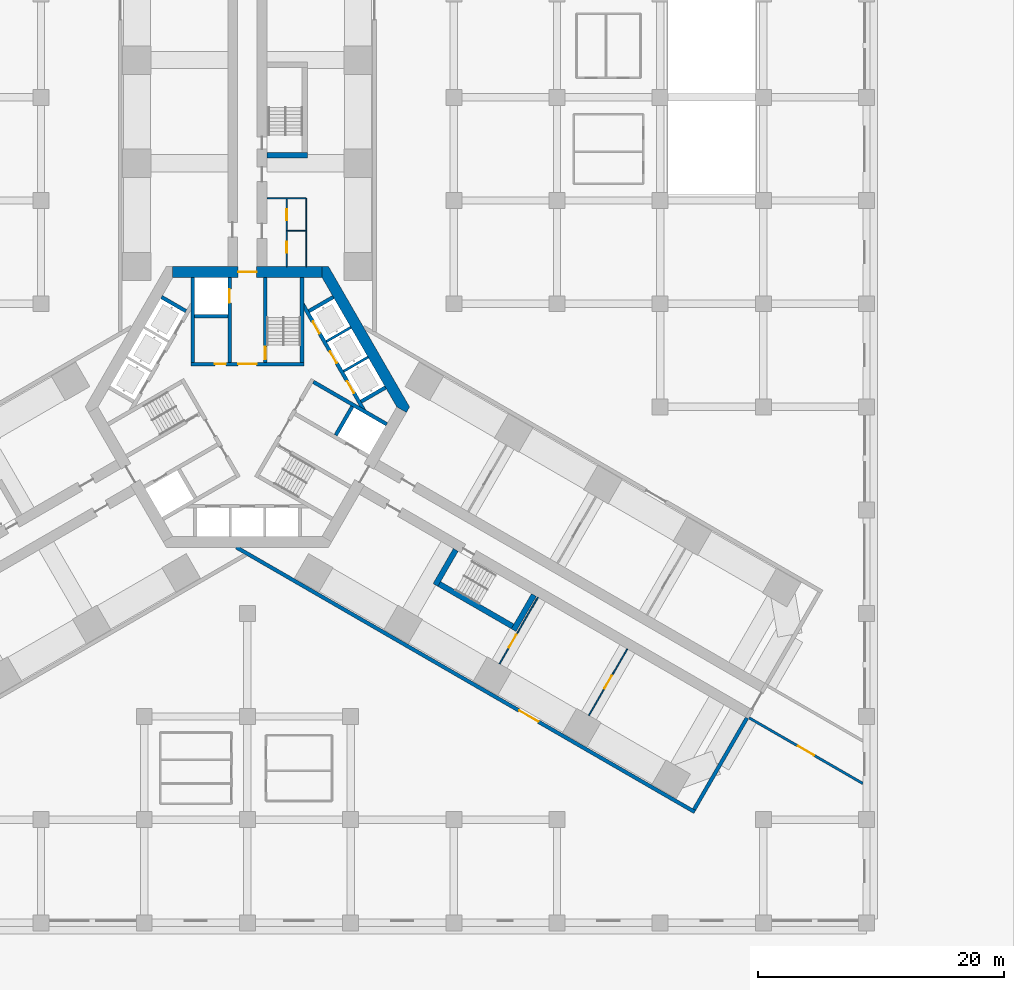
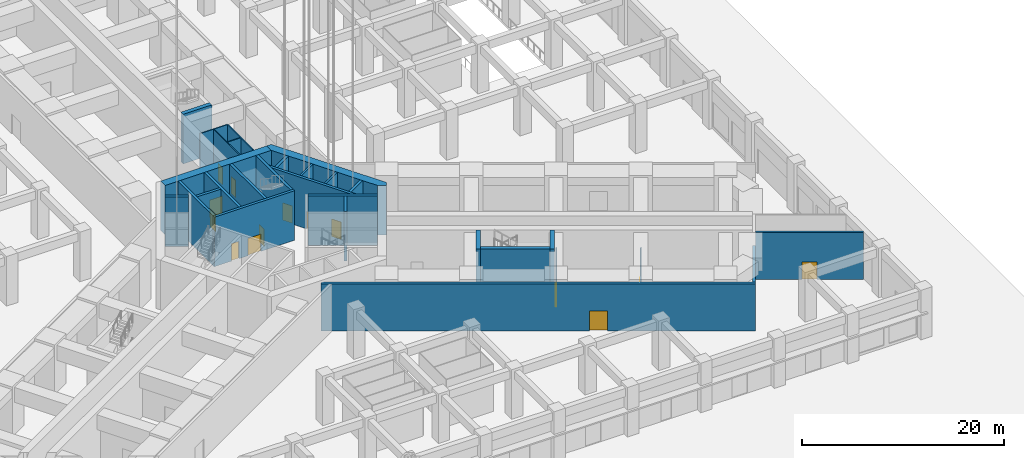
# One storey, part 10 of 33: 29 walls, 14 doors, 14 openings.
"""IFC4 building model written with IfcOpenShell, lengths in metres."""

from ifc_helpers import new_model, si_unit, direction, frame, frame_2d, origin, place, context, subcontext, project, spatial, polyline, rectangle, outline, extrude, material, layer, layer_set, type_object, element, fill, save


model = new_model("IFC4")

# Units and contexts
model_context = context("Model", 3, precision=1e-05, world=origin(), true_north=direction((0.0, 1.0)))
body_context = subcontext(model_context, "Body", "Model", "MODEL_VIEW")
ifc_project = project(units=[si_unit("LENGTHUNIT", "METRE"), si_unit("AREAUNIT", "SQUARE_METRE"), si_unit("VOLUMEUNIT", "CUBIC_METRE"), si_unit("PLANEANGLEUNIT", "RADIAN"), si_unit("MASSUNIT", "GRAM", prefix="KILO")], contexts=[model_context])

# Site, building, storey
site_placement = place(None, origin())
site = spatial("IfcSite", under=ifc_project, at=site_placement, CompositionType="ELEMENT")
building_placement = place(site_placement, origin())
building = spatial("IfcBuilding", under=site, at=building_placement, Name="Impinga Residences", CompositionType="ELEMENT")
storey_placement = place(building_placement, origin())
storey = spatial("IfcBuildingStorey", under=building, at=storey_placement, Name="L00", CompositionType="ELEMENT", Elevation=0.0)

# Wall, opening, door
ifc_material_1 = material(Name="Concrete blockwork", Category="masonry")
ifc_layer_1 = layer(ifc_material_1, 0.10009765625)
ifc_layer_set_1 = layer_set([ifc_layer_1], Name="CP1 core room partition, blockwork 100")
wall_type_1 = type_object("IfcWallType", Name="CP1 core room partition, blockwork 100", PredefinedType="PARTITIONING", material=ifc_layer_set_1)
wall_1_placement = place(storey_placement, frame((23.649169921875, -15.50146484375, 0.0), z_axis=(0.0, 0.0, 1.0), x_axis=(-0.500004234368, -0.866022959057, 0.0)))
wall_1 = element("IfcWall", 1, at=wall_1_placement, inside=storey, type_object=wall_type_1, Name="Core room partition, blockwork L00-EF1:PS1", PredefinedType="PARTITIONING", context=body_context, shape_type="SweptSolid", body=[
    extrude(rectangle(XDim=6.25, YDim=0.10009765625, at=frame_2d((3.125, 0.0))), origin(), (0.0, 0.0, 1.0), 3.89990234375),
])
opening_1_placement = place(wall_1_placement, frame((3.52490234375, 0.0, 0.0)))
opening_1 = element("IfcOpeningElement", 2, at=opening_1_placement, cuts=wall_1, Name="Opening D3", PredefinedType="OPENING", context=body_context, shape_type="SweptSolid", body=[
    extrude(rectangle(XDim=1.199951171875, YDim=2.10009765625, at=frame_2d((0.60009765625, 1.050048828125))), frame((0.0, 0.06005859375, 0.0), z_axis=(0.0, -1.0, 0.0), x_axis=(1.0, 0.0, 0.0)), (0.0, 0.0, 1.0), 0.1201171875),
])
ifc_material_2 = material(Name="Timber door set", Category="wood")
door_type_1 = type_object("IfcDoorType", Name="D3 room door, leaf and a half 1200x2100", OperationType="DOUBLE_SWING_LEFT", PredefinedType="DOOR", material=ifc_material_2)
door_1_placement = place(opening_1_placement, origin())
door_1 = element("IfcDoor", 3, at=door_1_placement, inside=storey, type_object=door_type_1, Name="Fuel tank room door L00-EF1", OperationType="DOUBLE_SWING_LEFT", OverallHeight=2.10009765625, OverallWidth=1.199951171875, PredefinedType="DOOR", context=body_context, shape_type="SweptSolid", body=[
    extrude(rectangle(XDim=1.199951171875, YDim=2.10009765625, at=frame_2d((0.60009765625, 1.050048828125))), frame((0.0, 0.02490234375, 0.0), z_axis=(0.0, -1.0, 0.0), x_axis=(1.0, 0.0, 0.0)), (0.0, 0.0, 1.0), 0.050048828125),
])
fill(opening_1, door_1)

wall_2_placement = place(storey_placement, frame((30.923828125, -19.701416015625, 0.0), z_axis=(0.0, 0.0, 1.0), x_axis=(-0.500004234368, -0.866022959057, 0.0)))
wall_2 = element("IfcWall", 4, at=wall_2_placement, inside=storey, type_object=wall_type_1, Name="Core room partition, blockwork L00-EF1:PS2", PredefinedType="PARTITIONING", context=body_context, shape_type="SweptSolid", body=[
    extrude(rectangle(XDim=6.25, YDim=0.10009765625, at=frame_2d((3.125, 0.0))), origin(), (0.0, 0.0, 1.0), 3.89990234375),
])
opening_2_placement = place(wall_2_placement, frame((2.52490234375, 0.0, 0.0)))
opening_2 = element("IfcOpeningElement", 5, at=opening_2_placement, cuts=wall_2, Name="Opening D3", PredefinedType="OPENING", context=body_context, shape_type="SweptSolid", body=[
    extrude(rectangle(XDim=1.199951171875, YDim=2.10009765625, at=frame_2d((0.60009765625, 1.050048828125))), frame((0.0, 0.06005859375, 0.0), z_axis=(0.0, -1.0, 0.0), x_axis=(1.0, 0.0, 0.0)), (0.0, 0.0, 1.0), 0.1201171875),
])
door_2_placement = place(opening_2_placement, origin())
door_2 = element("IfcDoor", 6, at=door_2_placement, inside=storey, type_object=door_type_1, Name="Generator control room door L00-EF1", OperationType="DOUBLE_SWING_LEFT", OverallHeight=2.10009765625, OverallWidth=1.199951171875, PredefinedType="DOOR", context=body_context, shape_type="SweptSolid", body=[
    extrude(rectangle(XDim=1.199951171875, YDim=2.10009765625, at=frame_2d((0.60009765625, 1.050048828125))), frame((0.0, 0.02490234375, 0.0), z_axis=(0.0, -1.0, 0.0), x_axis=(1.0, 0.0, 0.0)), (0.0, 0.0, 1.0), 0.050048828125),
])
fill(opening_2, door_2)

# Wall, openings, doors
ifc_material_3 = material(Name="Gypsum board on steel studs", Category="steel")
ifc_layer_2 = layer(ifc_material_3, 0.10009765625)
ifc_layer_set_2 = layer_set([ifc_layer_2], Name="Gypsum board on steel studs")
wall_type_2 = type_object("IfcWallType", Name="IP1 partition 100", PredefinedType="PARTITIONING", material=ifc_layer_set_2)
wall_3_placement = place(storey_placement, frame((3.199951171875, 11.431640625, 0.0), z_axis=(0.0, 0.0, 1.0), x_axis=(0.0, 1.0, 0.0)))
wall_3 = element("IfcWall", 7, at=wall_3_placement, inside=storey, type_object=wall_type_2, Name="Partition L00-NF1:L1", PredefinedType="PARTITIONING", context=body_context, shape_type="SweptSolid", body=[
    extrude(rectangle(XDim=5.599853515625, YDim=0.10009765625, at=frame_2d((2.7998046875, 0.0))), origin(), (0.0, 0.0, 1.0), 5.699951171875),
])
opening_3_placement = place(wall_3_placement, frame((1.125, 0.0, 0.0)))
opening_3 = element("IfcOpeningElement", 8, at=opening_3_placement, cuts=wall_3, Name="Opening D2", PredefinedType="OPENING", context=body_context, shape_type="SweptSolid", body=[
    extrude(rectangle(XDim=0.89990234375, YDim=2.10009765625, at=frame_2d((0.449951171875, 1.050048828125))), frame((0.0, 0.06005859375, 0.0), z_axis=(0.0, -1.0, 0.0), x_axis=(1.0, 0.0, 0.0)), (0.0, 0.0, 1.0), 0.1201171875),
])
opening_4_placement = place(wall_3_placement, frame((3.77490234375, 0.0, 0.0)))
opening_4 = element("IfcOpeningElement", 9, at=opening_4_placement, cuts=wall_3, Name="Opening D2", PredefinedType="OPENING", context=body_context, shape_type="SweptSolid", body=[
    extrude(rectangle(XDim=0.89990234375, YDim=2.10009765625, at=frame_2d((0.449951171875, 1.050048828125))), frame((0.0, 0.06005859375, 0.0), z_axis=(0.0, -1.0, 0.0), x_axis=(1.0, 0.0, 0.0)), (0.0, 0.0, 1.0), 0.1201171875),
])
door_type_2 = type_object("IfcDoorType", Name="D2 internal door 900x2100", OperationType="SINGLE_SWING_LEFT", PredefinedType="DOOR", material=ifc_material_2)
door_3_placement = place(opening_3_placement, origin())
door_3 = element("IfcDoor", 10, at=door_3_placement, inside=storey, type_object=door_type_2, Name="WC door L00-NF1", OperationType="SINGLE_SWING_LEFT", OverallHeight=2.10009765625, OverallWidth=0.89990234375, PredefinedType="DOOR", context=body_context, shape_type="SweptSolid", body=[
    extrude(rectangle(XDim=0.89990234375, YDim=2.10009765625, at=frame_2d((0.449951171875, 1.050048828125))), frame((0.0, 0.02490234375, 0.0), z_axis=(0.0, -1.0, 0.0), x_axis=(1.0, 0.0, 0.0)), (0.0, 0.0, 1.0), 0.050048828125),
])
fill(opening_3, door_3)
door_4_placement = place(opening_4_placement, origin())
door_4 = element("IfcDoor", 11, at=door_4_placement, inside=storey, type_object=door_type_2, Name="Accessible WC door L00-NF1", OperationType="SINGLE_SWING_RIGHT", OverallHeight=2.10009765625, OverallWidth=0.89990234375, PredefinedType="DOOR", context=body_context, shape_type="SweptSolid", body=[
    extrude(rectangle(XDim=0.89990234375, YDim=2.10009765625, at=frame_2d((0.449951171875, 1.050048828125))), frame((0.0, 0.02490234375, 0.0), z_axis=(0.0, -1.0, 0.0), x_axis=(1.0, 0.0, 0.0)), (0.0, 0.0, 1.0), 0.050048828125),
])
fill(opening_4, door_4)

# Walls
wall_4_placement = place(storey_placement, frame((3.25, 14.33154296875, 0.0), z_axis=(0.0, 0.0, 1.0), x_axis=(1.0, 0.0, 0.0)))
element("IfcWall", 12, at=wall_4_placement, inside=storey, type_object=wall_type_2, Name="Partition L00-NF1:T1", PredefinedType="PARTITIONING", context=body_context, shape_type="SweptSolid", body=[
    extrude(rectangle(XDim=1.5, YDim=0.10009765625, at=frame_2d((0.75, 0.0))), origin(), (0.0, 0.0, 1.0), 5.699951171875),
])
wall_5_placement = place(storey_placement, frame((4.800048828125, 11.431640625, 0.0), z_axis=(0.0, 0.0, 1.0), x_axis=(0.0, 1.0, 0.0)))
element("IfcWall", 13, at=wall_5_placement, inside=storey, type_object=wall_type_2, Name="Partition L00-NF1:T2", PredefinedType="PARTITIONING", context=body_context, shape_type="SweptSolid", body=[
    extrude(rectangle(XDim=5.5498046875, YDim=0.10009765625, at=frame_2d((2.77490234375, 0.0))), origin(), (0.0, 0.0, 1.0), 5.699951171875),
])
wall_6_placement = place(storey_placement, frame((1.60009765625, 16.9814453125, 0.0), z_axis=(0.0, 0.0, 1.0), x_axis=(1.0, 0.0, 0.0)))
element("IfcWall", 14, at=wall_6_placement, inside=storey, type_object=wall_type_2, Name="Partition L00-NF1:T3", PredefinedType="PARTITIONING", context=body_context, shape_type="SweptSolid", body=[
    extrude(rectangle(XDim=3.14990234375, YDim=0.10009765625, at=frame_2d((1.574951171875, 0.0))), origin(), (0.0, 0.0, 1.0), 5.699951171875),
])

# Wall, opening, door
ifc_layer_3 = layer(ifc_material_1, 0.199951171875)
ifc_layer_set_3 = layer_set([ifc_layer_3], Name="PW2 podium compartment wall 200")
wall_type_3 = type_object("IfcWallType", Name="PW2 podium compartment wall 200", PredefinedType="SOLIDWALL", material=ifc_layer_set_3)
wall_7_placement = place(storey_placement, frame((40.846435546875, -25.314697265625, 0.0), z_axis=(0.0, 0.0, 1.0), x_axis=(0.866028443642, -0.499994734776, 0.0)))
wall_7 = element("IfcWall", 15, at=wall_7_placement, inside=storey, type_object=wall_type_3, Name="Podium compartment wall L00:EXP:EF", PredefinedType="SOLIDWALL", context=body_context, shape_type="SweptSolid", body=[
    extrude(rectangle(XDim=10.68505859375, YDim=0.199951171875, at=frame_2d((5.342529296875, 0.0))), origin(), (0.0, 0.0, 1.0), 5.699951171875),
])
opening_5_placement = place(wall_7_placement, frame((4.592529296875, 0.0, 0.0)))
opening_5 = element("IfcOpeningElement", 16, at=opening_5_placement, cuts=wall_7, Name="Opening D4", PredefinedType="OPENING", context=body_context, shape_type="SweptSolid", body=[
    extrude(rectangle(XDim=1.5, YDim=2.10009765625, at=frame_2d((0.75, 1.050048828125))), frame((0.0, 0.10986328125, 0.0), z_axis=(0.0, -1.0, 0.0), x_axis=(1.0, 0.0, 0.0)), (0.0, 0.0, 1.0), 0.219970703125),
])
door_type_3 = type_object("IfcDoorType", Name="D4 lobby door pair 1500x2100", OperationType="DOUBLE_DOOR_DOUBLE_SWING", PredefinedType="DOOR", material=ifc_material_2)
door_5_placement = place(opening_5_placement, origin())
door_5 = element("IfcDoor", 17, at=door_5_placement, inside=storey, type_object=door_type_3, Name="Entrance hall fire lobby door E", OperationType="DOUBLE_DOOR_DOUBLE_SWING", OverallHeight=2.10009765625, OverallWidth=1.5, PredefinedType="DOOR", context=body_context, shape_type="SweptSolid", body=[
    extrude(rectangle(XDim=1.5, YDim=2.10009765625, at=frame_2d((0.75, 1.050048828125))), frame((0.0, 0.02490234375, 0.0), z_axis=(0.0, -1.0, 0.0), x_axis=(1.0, 0.0, 0.0)), (0.0, 0.0, 1.0), 0.050048828125),
])
fill(opening_5, door_5)

# Wall
ifc_layer_4 = layer(ifc_material_1, 0.300048828125)
ifc_layer_set_4 = layer_set([ifc_layer_4], Name="PW3 podium wall on the wing face 300")
wall_type_4 = type_object("IfcWallType", Name="PW3 podium wall on the wing face 300", PredefinedType="SOLIDWALL", material=ifc_layer_set_4)
wall_8_placement = place(storey_placement, frame((40.666748046875, -25.326416015625, 0.0), z_axis=(0.0, 0.0, 1.0), x_axis=(-0.500007509209, -0.866021068297, 0.0)))
element("IfcWall", 18, at=wall_8_placement, inside=storey, type_object=wall_type_4, Name="Podium wall on the wing face L00:END:EF", PredefinedType="SOLIDWALL", context=body_context, shape_type="SweptSolid", body=[
    extrude(rectangle(XDim=8.599853515625, YDim=0.300048828125, at=frame_2d((4.2998046875, 0.0))), origin(), (0.0, 0.0, 1.0), 4.10009765625),
])

# Wall, opening, door
wall_9_placement = place(storey_placement, frame((-0.89990234375, -11.431640625, 0.0), z_axis=(0.0, 0.0, 1.0), x_axis=(0.866025301493, -0.500000177174, 0.0)))
wall_9 = element("IfcWall", 19, at=wall_9_placement, inside=storey, type_object=wall_type_4, Name="Podium wall on the wing face L00:SIDE:EF0", PredefinedType="SOLIDWALL", context=body_context, shape_type="SweptSolid", body=[
    extrude(rectangle(XDim=43.09521484375, YDim=0.300048828125, at=frame_2d((21.547607421875, 0.0))), origin(), (0.0, 0.0, 1.0), 5.699951171875),
])
opening_6_placement = place(wall_9_placement, frame((26.59521484375, 0.0, 0.0)))
opening_6 = element("IfcOpeningElement", 20, at=opening_6_placement, cuts=wall_9, Name="Opening D7", PredefinedType="OPENING", context=body_context, shape_type="SweptSolid", body=[
    extrude(rectangle(XDim=1.800048828125, YDim=2.39990234375, at=frame_2d((0.89990234375, 1.199951171875))), frame((0.0, 0.159912109375, 0.0), z_axis=(0.0, -1.0, 0.0), x_axis=(1.0, 0.0, 0.0)), (0.0, 0.0, 1.0), 0.320068359375),
])
door_type_4 = type_object("IfcDoorType", Name="D7 podium door pair 1800x2400", OperationType="DOUBLE_DOOR_DOUBLE_SWING", PredefinedType="DOOR", material=ifc_material_2)
door_6_placement = place(opening_6_placement, origin())
door_6 = element("IfcDoor", 21, at=door_6_placement, inside=storey, type_object=door_type_4, Name="Double door EF", OperationType="DOUBLE_DOOR_DOUBLE_SWING", OverallHeight=2.39990234375, OverallWidth=1.800048828125, PredefinedType="DOOR", context=body_context, shape_type="SweptSolid", body=[
    extrude(rectangle(XDim=1.800048828125, YDim=2.39990234375, at=frame_2d((0.89990234375, 1.199951171875))), frame((0.0, 0.02490234375, 0.0), z_axis=(0.0, -1.0, 0.0), x_axis=(1.0, 0.0, 0.0)), (0.0, 0.0, 1.0), 0.050048828125),
])
fill(opening_6, door_6)

# Walls
ifc_material_4 = material(Name="Concrete C60/75", Category="concrete")
ifc_layer_5 = layer(ifc_material_4, 0.449951171875)
ifc_layer_set_5 = layer_set([ifc_layer_5], Name="Concrete C60/75")
wall_type_5 = type_object("IfcWallType", Name="SE2 wing stair enclosure wall, ground and podium storeys 450", PredefinedType="SOLIDWALL", material=ifc_layer_set_5)
wall_10_placement = place(storey_placement, frame((1.60009765625, 20.506591796875, 0.0), z_axis=(0.0, 0.0, 1.0), x_axis=(1.0, 0.0, 0.0)))
element("IfcWall", 22, at=wall_10_placement, inside=storey, type_object=wall_type_5, Name="Stair enclosure wall SE2 N END0 L00", PredefinedType="SOLIDWALL", context=body_context, shape_type="SweptSolid", body=[
    extrude(rectangle(XDim=3.2998046875, YDim=0.449951171875, at=frame_2d((1.64990234375, 0.0))), origin(), (0.0, 0.0, 1.0), 6.0),
])
for number, where, z_axis, x_axis, name in (
    (23, (16.959228515625, -11.638916015625, 0.0), (0.0, 0.0, 1.0), (-0.50002983664, -0.866008176907, 0.0), "Stair enclosure wall SE2 E END0 L00"),
    (24, (23.324462890625, -15.31396484375, 0.0), (0.0, 0.0, 1.0), (-0.499974350878, -0.866040211805, 0.0), "Stair enclosure wall SE2 E END1 L00"),
):
    element("IfcWall", number, at=place(storey_placement, frame(where, z_axis=z_axis, x_axis=x_axis)), inside=storey, type_object=wall_type_5, Name=name, PredefinedType="SOLIDWALL", context=body_context, shape_type="SweptSolid", body=[
        extrude(rectangle(XDim=3.300048828125, YDim=0.449951171875, at=frame_2d((1.64990234375, 0.0))), origin(), (0.0, 0.0, 1.0), 6.0),
    ])
wall_11_placement = place(storey_placement, frame((15.616455078125, -14.41455078125, 0.0), z_axis=(0.0, 0.0, 1.0), x_axis=(0.866028853923, -0.499994024137, 0.0)))
element("IfcWall", 25, at=wall_11_placement, inside=storey, type_object=wall_type_5, Name="Stair enclosure wall SE2 E OUT L00", PredefinedType="SOLIDWALL", context=body_context, shape_type="SweptSolid", body=[
    extrude(rectangle(XDim=6.89990234375, YDim=0.449951171875, at=frame_2d((3.449951171875, 0.0))), origin(), (0.0, 0.0, 1.0), 6.0),
])

# Wall, opening, door
ifc_material_5 = material(Name="Concrete C70/85", Category="concrete")
ifc_layer_6 = layer(ifc_material_5, 0.89990234375)
ifc_layer_set_6 = layer_set([ifc_layer_6], Name="Concrete C70/85")
wall_type_6 = type_object("IfcWallType", Name="SW1 core wall 900", PredefinedType="SHEAR", material=ifc_layer_set_6)
wall_12_placement = place(storey_placement, frame((-6.080322265625, 10.9814453125, 0.0), z_axis=(0.0, 0.0, 1.0), x_axis=(1.0, 0.0, 0.0)))
wall_12 = element("IfcWall", 26, at=wall_12_placement, inside=storey, type_object=wall_type_6, Name="Core wall SW1 N:FACE L00", PredefinedType="SHEAR", context=body_context, shape_type="SweptSolid", body=[
    extrude(rectangle(XDim=12.16064453125, YDim=0.89990234375, at=frame_2d((6.080322265625, 0.0))), origin(), (0.0, 0.0, 1.0), 6.0),
])
opening_7_placement = place(wall_12_placement, frame((5.330322265625, 0.0, 0.0)))
opening_7 = element("IfcOpeningElement", 27, at=opening_7_placement, cuts=wall_12, Name="Opening D4", PredefinedType="OPENING", context=body_context, shape_type="SweptSolid", body=[
    extrude(rectangle(XDim=1.5, YDim=2.10009765625, at=frame_2d((0.75, 1.050048828125))), frame((0.0, 0.4599609375, 0.0), z_axis=(0.0, -1.0, 0.0), x_axis=(1.0, 0.0, 0.0)), (0.0, 0.0, 1.0), 0.919921875),
])
door_7_placement = place(opening_7_placement, origin())
door_7 = element("IfcDoor", 28, at=door_7_placement, inside=storey, type_object=door_type_3, Name="Lobby door N", OperationType="DOUBLE_DOOR_DOUBLE_SWING", OverallHeight=2.10009765625, OverallWidth=1.5, PredefinedType="DOOR", context=body_context, shape_type="SweptSolid", body=[
    extrude(rectangle(XDim=1.5, YDim=2.10009765625, at=frame_2d((0.75, 1.050048828125))), frame((0.0, 0.02490234375, 0.0), z_axis=(0.0, -1.0, 0.0), x_axis=(1.0, 0.0, 0.0)), (0.0, 0.0, 1.0), 0.050048828125),
])
fill(opening_7, door_7)

# Wall
wall_13_placement = place(storey_placement, origin())
element("IfcWall", 29, at=wall_13_placement, inside=storey, type_object=wall_type_6, Name="Core wall SW1 W:EXPOSED L00", PredefinedType="SHEAR", context=body_context, shape_type="SweptSolid", body=[
    extrude(outline(polyline([(13.199951171875, 0.0), (6.60009765625, 11.431640625), (6.080322265625, 11.431640625), (6.080322265625, 10.531494140625), (12.160888671875, 0.0), (12.940185546875, -0.449951171875), (13.199951171875, 0.0)])), origin(), (0.0, 0.0, 1.0), 6.0),
])

# Wall, openings, doors
ifc_layer_7 = layer(ifc_material_5, 0.300048828125)
ifc_layer_set_7 = layer_set([ifc_layer_7], Name="Concrete C70/85")
wall_type_7 = type_object("IfcWallType", Name="SW5 core inner wall, stairs, shafts and lobbies 300", PredefinedType="SHEAR", material=ifc_layer_set_7)
wall_14_placement = place(storey_placement, frame((-4.60009765625, 3.47998046875, 0.0), z_axis=(0.0, 0.0, 1.0), x_axis=(1.0, 0.0, 0.0)))
wall_14 = element("IfcWall", 30, at=wall_14_placement, inside=storey, type_object=wall_type_7, Name="Core wall SW5 N:ZONE L00", PredefinedType="SHEAR", context=body_context, shape_type="SweptSolid", body=[
    extrude(rectangle(XDim=9.2001953125, YDim=0.300048828125, at=frame_2d((4.60009765625, 0.0))), origin(), (0.0, 0.0, 1.0), 6.0),
])
opening_8_placement = place(wall_14_placement, frame((3.85009765625, 0.0, 0.0)))
opening_8 = element("IfcOpeningElement", 31, at=opening_8_placement, cuts=wall_14, Name="Opening D4", PredefinedType="OPENING", context=body_context, shape_type="SweptSolid", body=[
    extrude(rectangle(XDim=1.5, YDim=2.10009765625, at=frame_2d((0.75, 1.050048828125))), frame((0.0, 0.159912109375, 0.0), z_axis=(0.0, -1.0, 0.0), x_axis=(1.0, 0.0, 0.0)), (0.0, 0.0, 1.0), 0.320068359375),
])
opening_9_placement = place(wall_14_placement, frame((1.949951171875, 0.0, 0.0)))
opening_9 = element("IfcOpeningElement", 32, at=opening_9_placement, cuts=wall_14, Name="Opening D6", PredefinedType="OPENING", context=body_context, shape_type="SweptSolid", body=[
    extrude(rectangle(XDim=0.89990234375, YDim=2.10009765625, at=frame_2d((0.449951171875, 1.050048828125))), frame((0.0, 0.159912109375, 0.0), z_axis=(0.0, -1.0, 0.0), x_axis=(1.0, 0.0, 0.0)), (0.0, 0.0, 1.0), 0.320068359375),
])
door_8_placement = place(opening_8_placement, origin())
door_8 = element("IfcDoor", 33, at=door_8_placement, inside=storey, type_object=door_type_3, Name="Firefighting lobby door N", OperationType="DOUBLE_DOOR_DOUBLE_SWING", OverallHeight=2.10009765625, OverallWidth=1.5, PredefinedType="DOOR", context=body_context, shape_type="SweptSolid", body=[
    extrude(rectangle(XDim=1.5, YDim=2.10009765625, at=frame_2d((0.75, 1.050048828125))), frame((0.0, 0.02490234375, 0.0), z_axis=(0.0, -1.0, 0.0), x_axis=(1.0, 0.0, 0.0)), (0.0, 0.0, 1.0), 0.050048828125),
])
fill(opening_8, door_8)
door_type_5 = type_object("IfcDoorType", Name="D6 riser and store door 900x2100", OperationType="SINGLE_SWING_LEFT", PredefinedType="DOOR", material=ifc_material_2)
door_9_placement = place(opening_9_placement, origin())
door_9 = element("IfcDoor", 34, at=door_9_placement, inside=storey, type_object=door_type_5, Name="Riser door N", OperationType="SINGLE_SWING_LEFT", OverallHeight=2.10009765625, OverallWidth=0.89990234375, PredefinedType="DOOR", context=body_context, shape_type="SweptSolid", body=[
    extrude(rectangle(XDim=0.89990234375, YDim=2.10009765625, at=frame_2d((0.449951171875, 1.050048828125))), frame((0.0, 0.02490234375, 0.0), z_axis=(0.0, -1.0, 0.0), x_axis=(1.0, 0.0, 0.0)), (0.0, 0.0, 1.0), 0.050048828125),
])
fill(opening_9, door_9)

# Wall, opening, door
wall_15_placement = place(storey_placement, frame((1.449951171875, 3.6298828125, 0.0), z_axis=(0.0, 0.0, 1.0), x_axis=(0.0, 1.0, 0.0)))
wall_15 = element("IfcWall", 35, at=wall_15_placement, inside=storey, type_object=wall_type_7, Name="Core wall SW5 N:ST-IN L00", PredefinedType="SHEAR", context=body_context, shape_type="SweptSolid", body=[
    extrude(rectangle(XDim=6.901611328125, YDim=0.300048828125, at=frame_2d((3.45068359375, 0.0))), origin(), (0.0, 0.0, 1.0), 6.0),
])
opening_10_placement = place(wall_15_placement, frame((0.25, 0.0, 0.0)))
opening_10 = element("IfcOpeningElement", 36, at=opening_10_placement, cuts=wall_15, Name="Opening D5", PredefinedType="OPENING", context=body_context, shape_type="SweptSolid", body=[
    extrude(rectangle(XDim=1.0, YDim=2.10009765625, at=frame_2d((0.5, 1.050048828125))), frame((0.0, 0.159912109375, 0.0), z_axis=(0.0, -1.0, 0.0), x_axis=(1.0, 0.0, 0.0)), (0.0, 0.0, 1.0), 0.320068359375),
])
door_type_6 = type_object("IfcDoorType", Name="D5 stair door 1000x2100", OperationType="SINGLE_SWING_LEFT", PredefinedType="DOOR", material=ifc_material_2)
door_10_placement = place(opening_10_placement, origin())
door_10 = element("IfcDoor", 37, at=door_10_placement, inside=storey, type_object=door_type_6, Name="Stair door N", OperationType="SINGLE_SWING_LEFT", OverallHeight=2.10009765625, OverallWidth=1.0, PredefinedType="DOOR", context=body_context, shape_type="SweptSolid", body=[
    extrude(rectangle(XDim=1.0, YDim=2.10009765625, at=frame_2d((0.5, 1.050048828125))), frame((0.0, 0.02490234375, 0.0), z_axis=(0.0, -1.0, 0.0), x_axis=(1.0, 0.0, 0.0)), (0.0, 0.0, 1.0), 0.050048828125),
])
fill(opening_10, door_10)

# Wall
wall_16_placement = place(storey_placement, frame((4.449951171875, 3.6298828125, 0.0), z_axis=(0.0, 0.0, 1.0), x_axis=(0.0, 1.0, 0.0)))
element("IfcWall", 38, at=wall_16_placement, inside=storey, type_object=wall_type_7, Name="Core wall SW5 N:ST-OUT L00", PredefinedType="SHEAR", context=body_context, shape_type="SweptSolid", body=[
    extrude(rectangle(XDim=6.901611328125, YDim=0.300048828125, at=frame_2d((3.45068359375, 0.0))), origin(), (0.0, 0.0, 1.0), 6.0),
])

# Wall, opening, door
wall_17_placement = place(storey_placement, frame((-1.449951171875, 3.6298828125, 0.0), z_axis=(0.0, 0.0, 1.0), x_axis=(0.0, 1.0, 0.0)))
wall_17 = element("IfcWall", 39, at=wall_17_placement, inside=storey, type_object=wall_type_7, Name="Core wall SW5 N:FF-IN L00", PredefinedType="SHEAR", context=body_context, shape_type="SweptSolid", body=[
    extrude(rectangle(XDim=6.901611328125, YDim=0.300048828125, at=frame_2d((3.45068359375, 0.0))), origin(), (0.0, 0.0, 1.0), 6.0),
])
opening_11_placement = place(wall_17_placement, frame((4.85009765625, 0.0, 0.0)))
opening_11 = element("IfcOpeningElement", 40, at=opening_11_placement, cuts=wall_17, Name="Opening LD2", PredefinedType="OPENING", context=body_context, shape_type="SweptSolid", body=[
    extrude(rectangle(XDim=1.10009765625, YDim=2.10009765625, at=frame_2d((0.550048828125, 1.050048828125))), frame((0.0, 0.159912109375, 0.0), z_axis=(0.0, -1.0, 0.0), x_axis=(1.0, 0.0, 0.0)), (0.0, 0.0, 1.0), 0.320068359375),
])
ifc_material_6 = material(Name="Steel lift landing door", Category="steel")
door_type_7 = type_object("IfcDoorType", Name="LD2 firefighting lift landing door 1100x2100", OperationType="DOUBLE_DOOR_SLIDING", PredefinedType="DOOR", material=ifc_material_6)
door_11_placement = place(opening_11_placement, origin())
door_11 = element("IfcDoor", 41, at=door_11_placement, inside=storey, type_object=door_type_7, Name="Firefighting lift landing door F1", OperationType="DOUBLE_DOOR_SLIDING", OverallHeight=2.10009765625, OverallWidth=1.10009765625, PredefinedType="DOOR", context=body_context, shape_type="SweptSolid", body=[
    extrude(rectangle(XDim=1.10009765625, YDim=2.10009765625, at=frame_2d((0.550048828125, 1.050048828125))), frame((0.0, 0.02490234375, 0.0), z_axis=(0.0, -1.0, 0.0), x_axis=(1.0, 0.0, 0.0)), (0.0, 0.0, 1.0), 0.050048828125),
])
fill(opening_11, door_11)

# Walls
wall_18_placement = place(storey_placement, frame((-4.449951171875, 3.6298828125, 0.0), z_axis=(0.0, 0.0, 1.0), x_axis=(0.0, 1.0, 0.0)))
element("IfcWall", 42, at=wall_18_placement, inside=storey, type_object=wall_type_7, Name="Core wall SW5 N:FF-OUT L00", PredefinedType="SHEAR", context=body_context, shape_type="SweptSolid", body=[
    extrude(rectangle(XDim=6.901611328125, YDim=0.300048828125, at=frame_2d((3.45068359375, 0.0))), origin(), (0.0, 0.0, 1.0), 6.0),
])
wall_19_placement = place(storey_placement, frame((-4.300048828125, 7.3798828125, 0.0), z_axis=(0.0, 0.0, 1.0), x_axis=(1.0, 0.0, 0.0)))
element("IfcWall", 43, at=wall_19_placement, inside=storey, type_object=wall_type_7, Name="Core wall SW5 N:FF-RS L00", PredefinedType="SHEAR", context=body_context, shape_type="SweptSolid", body=[
    extrude(rectangle(XDim=2.699951171875, YDim=0.300048828125, at=frame_2d((1.35009765625, 0.0))), origin(), (0.0, 0.0, 1.0), 6.0),
])
wall_20_placement = place(storey_placement, frame((5.36865234375, 2.038818359375, 0.0), z_axis=(0.0, 0.0, 1.0), x_axis=(0.86602711848, -0.499997030048, 0.0)))
element("IfcWall", 44, at=wall_20_placement, inside=storey, type_object=wall_type_7, Name="Core wall SW5 E:FF-OUT L00", PredefinedType="SHEAR", context=body_context, shape_type="SweptSolid", body=[
    extrude(rectangle(XDim=6.9013671875, YDim=0.300048828125, at=frame_2d((3.45068359375, 0.0))), origin(), (0.0, 0.0, 1.0), 6.0),
])
wall_21_placement = place(storey_placement, frame((8.541259765625, 0.033935546875, 0.0), z_axis=(0.0, 0.0, 1.0), x_axis=(-0.50000943426, -0.866019956843, 0.0)))
element("IfcWall", 45, at=wall_21_placement, inside=storey, type_object=wall_type_7, Name="Core wall SW5 E:FF-RS L00", PredefinedType="SHEAR", context=body_context, shape_type="SweptSolid", body=[
    extrude(rectangle(XDim=2.7001953125, YDim=0.300048828125, at=frame_2d((1.35009765625, 0.0))), origin(), (0.0, 0.0, 1.0), 6.0),
])

# Wall, openings, doors
wall_22_placement = place(storey_placement, frame((4.449951171875, 8.455322265625, 0.0), z_axis=(0.0, 0.0, 1.0), x_axis=(0.500002290144, -0.866024081565, 0.0)))
wall_22 = element("IfcWall", 46, at=wall_22_placement, inside=storey, type_object=wall_type_7, Name="Core wall SW5 W:BANK-FRONT L00", PredefinedType="SHEAR", context=body_context, shape_type="SweptSolid", body=[
    extrude(rectangle(XDim=10.1953125, YDim=0.300048828125, at=frame_2d((5.09765625, 0.0))), origin(), (0.0, 0.0, 1.0), 6.0),
])
opening_12_placement = place(wall_22_placement, frame((1.74755859375, 0.0, 0.0)))
opening_12 = element("IfcOpeningElement", 47, at=opening_12_placement, cuts=wall_22, Name="Opening LD1", PredefinedType="OPENING", context=body_context, shape_type="SweptSolid", body=[
    extrude(rectangle(XDim=1.10009765625, YDim=2.10009765625, at=frame_2d((0.550048828125, 1.050048828125))), frame((0.0, 0.159912109375, 0.0), z_axis=(0.0, -1.0, 0.0), x_axis=(1.0, 0.0, 0.0)), (0.0, 0.0, 1.0), 0.320068359375),
])
opening_13_placement = place(wall_22_placement, frame((4.547607421875, 0.0, 0.0)))
opening_13 = element("IfcOpeningElement", 48, at=opening_13_placement, cuts=wall_22, Name="Opening LD1", PredefinedType="OPENING", context=body_context, shape_type="SweptSolid", body=[
    extrude(rectangle(XDim=1.10009765625, YDim=2.10009765625, at=frame_2d((0.550048828125, 1.050048828125))), frame((0.0, 0.159912109375, 0.0), z_axis=(0.0, -1.0, 0.0), x_axis=(1.0, 0.0, 0.0)), (0.0, 0.0, 1.0), 0.320068359375),
])
opening_14_placement = place(wall_22_placement, frame((7.34765625, 0.0, 0.0)))
opening_14 = element("IfcOpeningElement", 49, at=opening_14_placement, cuts=wall_22, Name="Opening LD1", PredefinedType="OPENING", context=body_context, shape_type="SweptSolid", body=[
    extrude(rectangle(XDim=1.10009765625, YDim=2.10009765625, at=frame_2d((0.550048828125, 1.050048828125))), frame((0.0, 0.159912109375, 0.0), z_axis=(0.0, -1.0, 0.0), x_axis=(1.0, 0.0, 0.0)), (0.0, 0.0, 1.0), 0.320068359375),
])
door_type_8 = type_object("IfcDoorType", Name="LD1 passenger lift landing door 1100x2100", OperationType="DOUBLE_DOOR_SLIDING", PredefinedType="DOOR", material=ifc_material_6)
door_12_placement = place(opening_12_placement, origin())
door_12 = element("IfcDoor", 50, at=door_12_placement, inside=storey, type_object=door_type_8, Name="Lift landing door P4", OperationType="DOUBLE_DOOR_SLIDING", OverallHeight=2.10009765625, OverallWidth=1.10009765625, PredefinedType="DOOR", context=body_context, shape_type="SweptSolid", body=[
    extrude(rectangle(XDim=1.10009765625, YDim=2.10009765625, at=frame_2d((0.550048828125, 1.050048828125))), frame((0.0, 0.02490234375, 0.0), z_axis=(0.0, -1.0, 0.0), x_axis=(1.0, 0.0, 0.0)), (0.0, 0.0, 1.0), 0.050048828125),
])
fill(opening_12, door_12)
door_13_placement = place(opening_13_placement, origin())
door_13 = element("IfcDoor", 51, at=door_13_placement, inside=storey, type_object=door_type_8, Name="Lift landing door P5", OperationType="DOUBLE_DOOR_SLIDING", OverallHeight=2.10009765625, OverallWidth=1.10009765625, PredefinedType="DOOR", context=body_context, shape_type="SweptSolid", body=[
    extrude(rectangle(XDim=1.10009765625, YDim=2.10009765625, at=frame_2d((0.550048828125, 1.050048828125))), frame((0.0, 0.02490234375, 0.0), z_axis=(0.0, -1.0, 0.0), x_axis=(1.0, 0.0, 0.0)), (0.0, 0.0, 1.0), 0.050048828125),
])
fill(opening_13, door_13)
door_14_placement = place(opening_14_placement, origin())
door_14 = element("IfcDoor", 52, at=door_14_placement, inside=storey, type_object=door_type_8, Name="Lift landing door P6", OperationType="DOUBLE_DOOR_SLIDING", OverallHeight=2.10009765625, OverallWidth=1.10009765625, PredefinedType="DOOR", context=body_context, shape_type="SweptSolid", body=[
    extrude(rectangle(XDim=1.10009765625, YDim=2.10009765625, at=frame_2d((0.550048828125, 1.050048828125))), frame((0.0, 0.02490234375, 0.0), z_axis=(0.0, -1.0, 0.0), x_axis=(1.0, 0.0, 0.0)), (0.0, 0.0, 1.0), 0.050048828125),
])
fill(opening_14, door_14)

# Walls
for number, where, z_axis, x_axis, name in (
    (53, (5.003662109375, 7.79638671875, 0.0), (0.0, 0.0, 1.0), (0.866053019151, 0.499952165731, 0.0), "Core wall SW5 W:BANK-L L00"),
    (54, (9.253662109375, 0.43505859375, 0.0), (0.0, 0.0, 1.0), (0.866007057882, 0.500031774688, 0.0), "Core wall SW5 W:BANK-R L00"),
    (55, (-5.003662109375, 7.79638671875, 0.0), (0.0, 0.0, 1.0), (-0.866053019151, 0.499952165731, 0.0), "Core wall SW5 E:BANK-R L00"),
):
    element("IfcWall", number, at=place(storey_placement, frame(where, z_axis=z_axis, x_axis=x_axis)), inside=storey, type_object=wall_type_7, Name=name, PredefinedType="SHEAR", context=body_context, shape_type="SweptSolid", body=[
        extrude(rectangle(XDim=2.300048828125, YDim=0.300048828125, at=frame_2d((1.14990234375, 0.0))), origin(), (0.0, 0.0, 1.0), 6.0),
    ])
ifc_layer_8 = layer(ifc_material_5, 0.199951171875)
ifc_layer_set_8 = layer_set([ifc_layer_8], Name="Concrete C70/85")
wall_type_8 = type_object("IfcWallType", Name="SW6 lift shaft divider wall 200", PredefinedType="SHEAR", material=ifc_layer_set_8)
for number, where, z_axis, x_axis, name in (
    (56, (6.4287109375, 5.328125, 0.0), (0.0, 0.0, 1.0), (0.866007057882, 0.500031774688, 0.0), "Core wall SW6 W:BANK-D1 L00"),
    (57, (7.82861328125, 2.9033203125, 0.0), (0.0, 0.0, 1.0), (0.866053019151, 0.499952165731, 0.0), "Core wall SW6 W:BANK-D2 L00"),
):
    element("IfcWall", number, at=place(storey_placement, frame(where, z_axis=z_axis, x_axis=x_axis)), inside=storey, type_object=wall_type_8, Name=name, PredefinedType="SHEAR", context=body_context, shape_type="SweptSolid", body=[
        extrude(rectangle(XDim=2.300048828125, YDim=0.199951171875, at=frame_2d((1.14990234375, 0.0))), origin(), (0.0, 0.0, 1.0), 6.0),
    ])

save(model, "model.ifc")
